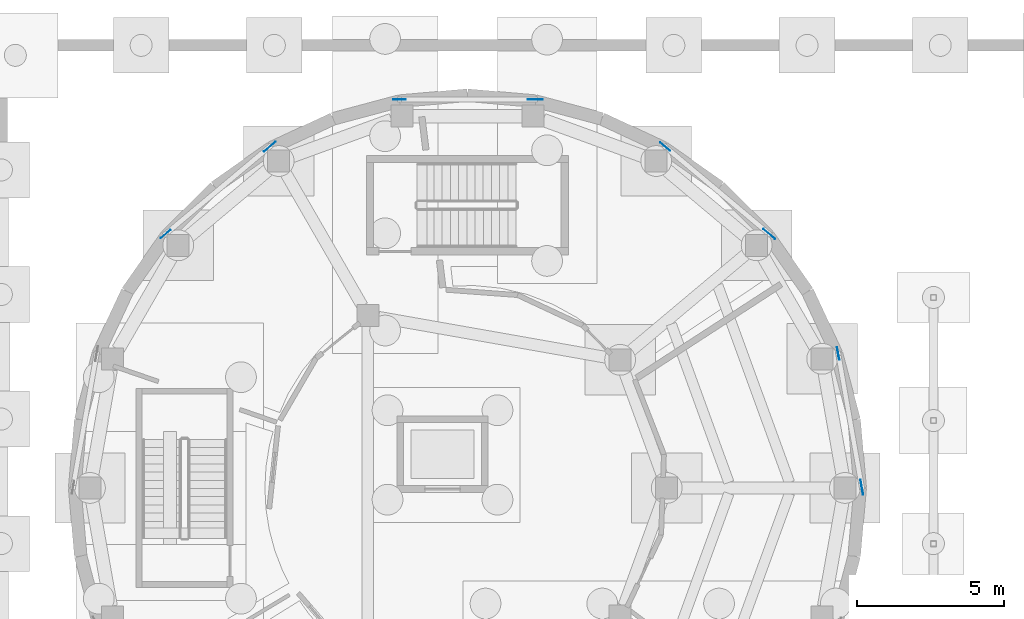
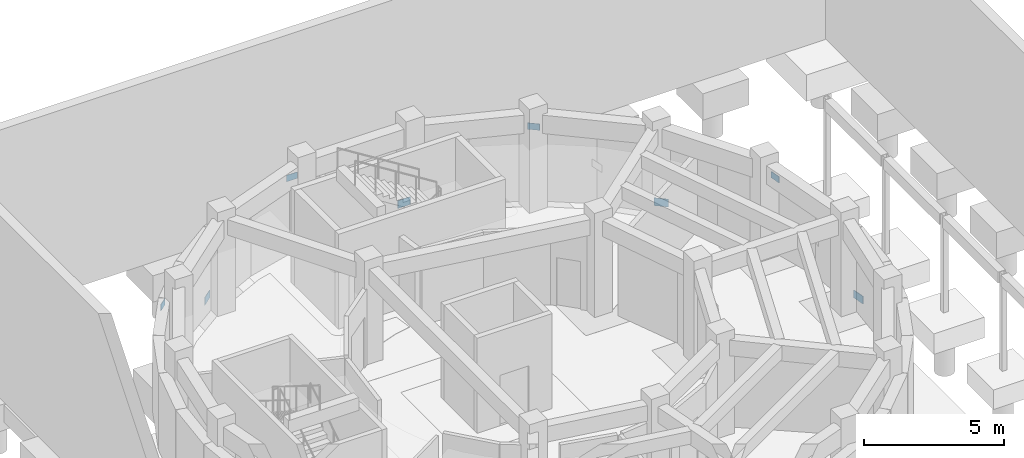
# One storey, part 31 of 57: 8 plates.
"""IFC4 building model written with IfcOpenShell, lengths in metres."""

from ifc_helpers import new_model, si_unit, direction, frame, origin, origin_2d, place, context, subcontext, project, spatial, rectangle, extrude, material, layer, layer_set, type_object, element, save


model = new_model("IFC4")

# Units and contexts
model_context = context("Model", 3, precision=1e-05, world=origin(), true_north=direction((0.0, 1.0)))
body_context = subcontext(model_context, "Body", "Model", "MODEL_VIEW")
ifc_project = project(units=[si_unit("LENGTHUNIT", "METRE"), si_unit("AREAUNIT", "SQUARE_METRE"), si_unit("VOLUMEUNIT", "CUBIC_METRE"), si_unit("PLANEANGLEUNIT", "RADIAN"), si_unit("MASSUNIT", "GRAM", prefix="KILO")], contexts=[model_context])

# Site, building, storey
site_placement = place(None, origin())
site = spatial("IfcSite", under=ifc_project, at=site_placement, CompositionType="ELEMENT")
building_placement = place(site_placement, origin())
building = spatial("IfcBuilding", under=site, at=building_placement, Name="Aldenvaro Health Centre", CompositionType="ELEMENT")
storey_placement = place(building_placement, frame((0.0, 0.0, -4.550048828125)))
storey = spatial("IfcBuildingStorey", under=building, at=storey_placement, Name="B1", CompositionType="ELEMENT", Elevation=-4.550048828125)

# Plates
ifc_material = material(Name="Steel ASTM A572 Grade 50", Category="steel")
ifc_layer_1 = layer(ifc_material, 0.01806640625, Name="Steel ASTM A572 Grade 50", Category="steel")
ifc_layer_set_1 = layer_set([ifc_layer_1], Name="Steel ASTM A572 Grade 50")
plate_type_1 = type_object("IfcPlateType", Name="PLT-GUS-02", PredefinedType="SHEET", material=ifc_layer_set_1)
for number, where, z_axis, x_axis, name in (
    (1, (31.95703125, 99.52001953125, 0.1298828125), (0.0, 0.0, 1.0), (-0.17390599378, 0.984762258277, 0.0), "D4 B1 brace end gusset 1.B"),
    (2, (28.7958984375, 108.1650390625, 0.1298828125), (0.0, 0.0, 1.0), (-0.76611175148, 0.642707386176, 0.0), "D4 B1 brace end gusset 3.B"),
    (3, (20.81689453125, 112.756103515625, 0.1298828125), (0.0, 0.0, 1.0), (-1.0, 0.0, 0.0), "D4 B1 brace end gusset 5.B"),
    (4, (11.7548828125, 111.14404296875, 0.1298828125), (0.0, 0.0, 1.0), (-0.76611175148, -0.642707386176, 0.0), "D4 B1 brace end gusset 7.B"),
):
    element("IfcPlate", number, at=place(storey_placement, frame(where, z_axis=z_axis, x_axis=x_axis)), inside=storey, type_object=plate_type_1, Name=name, PredefinedType="SHEET", context=body_context, shape_type="SweptSolid", body=[
        extrude(rectangle(XDim=0.52001953125, YDim=0.01806640625, at=origin_2d()), origin(), (0.0, 0.0, 1.0), 0.340087890625),
    ])
ifc_layer_2 = layer(ifc_material, 0.01611328125, Name="Steel ASTM A572 Grade 50", Category="steel")
ifc_layer_set_2 = layer_set([ifc_layer_2], Name="Steel ASTM A572 Grade 50")
plate_type_2 = type_object("IfcPlateType", Name="PLT-GUS-03", PredefinedType="SHEET", material=ifc_layer_set_2)
for number, where, z_axis, x_axis, name in (
    (5, (31.15087890625, 104.083984375, 2.908203125), (0.0, 0.0, 1.0), (-0.17390599378, 0.984762258277, 0.0), "D4 B1 brace end gusset 1.T"),
    (6, (25.2451171875, 111.14404296875, 2.908203125), (0.0, 0.0, 1.0), (-0.76611175148, 0.642707386176, 0.0), "D4 B1 brace end gusset 3.T"),
    (7, (16.18310546875, 112.756103515625, 2.908203125), (0.0, 0.0, 1.0), (-1.0, 0.0, 0.0), "D4 B1 brace end gusset 5.T"),
    (8, (8.2041015625, 108.1650390625, 2.908203125), (0.0, 0.0, 1.0), (-0.76611175148, -0.642707386176, 0.0), "D4 B1 brace end gusset 7.T"),
):
    element("IfcPlate", number, at=place(storey_placement, frame(where, z_axis=z_axis, x_axis=x_axis)), inside=storey, type_object=plate_type_2, Name=name, PredefinedType="SHEET", context=body_context, shape_type="SweptSolid", body=[
        extrude(rectangle(XDim=0.43994140625, YDim=0.01611328125, at=origin_2d()), origin(), (0.0, 0.0, 1.0), 0.280029296875),
    ])

save(model, "model.ifc")
